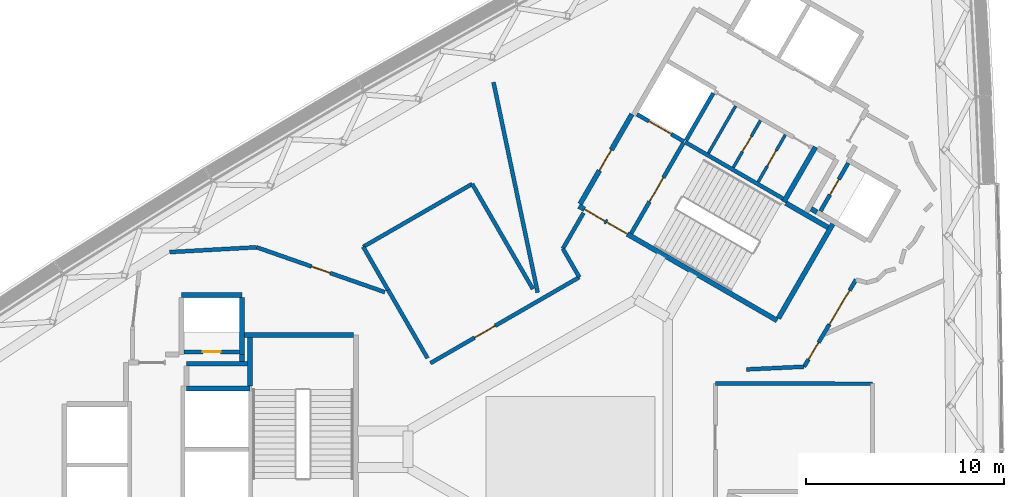
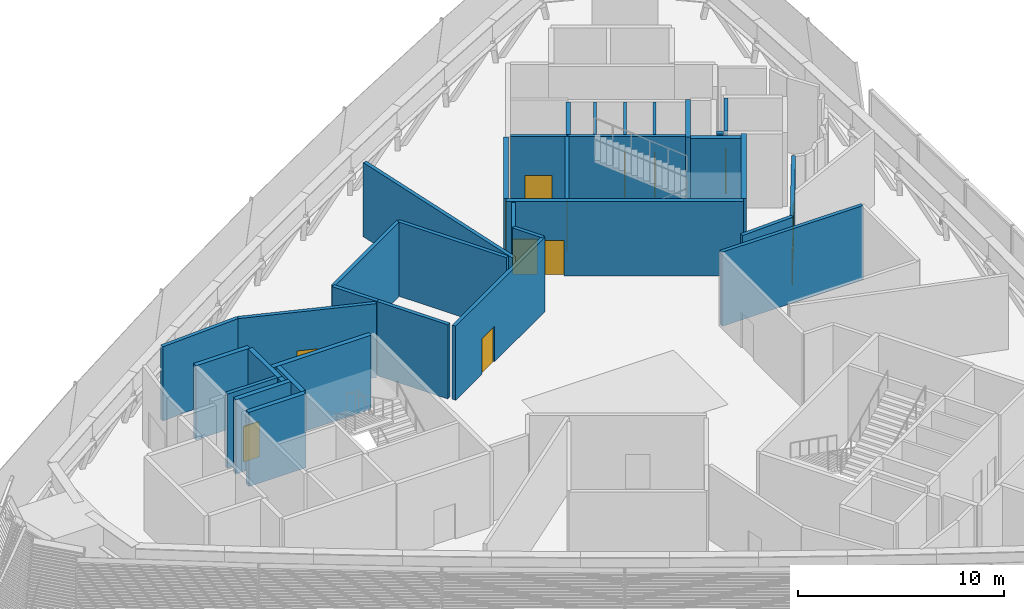
# One storey, part 12 of 17: 35 walls, 13 doors, 13 openings.
"""IFC4 building model written with IfcOpenShell, lengths in metres."""

from ifc_helpers import new_model, si_unit, direction, frame, frame_2d, origin, place, context, subcontext, project, spatial, rectangle, extrude, material, layer, layer_set, type_object, element, fill, save


model = new_model("IFC4")

# Units and contexts
model_context = context("Model", 3, precision=1e-05, world=origin(), true_north=direction((0.0, 1.0)))
body_context = subcontext(model_context, "Body", "Model", "MODEL_VIEW")
ifc_project = project(units=[si_unit("LENGTHUNIT", "METRE"), si_unit("AREAUNIT", "SQUARE_METRE"), si_unit("VOLUMEUNIT", "CUBIC_METRE"), si_unit("PLANEANGLEUNIT", "RADIAN"), si_unit("MASSUNIT", "GRAM", prefix="KILO")], contexts=[model_context])

# Site, building, storey
site_placement = place(None, origin())
site = spatial("IfcSite", under=ifc_project, at=site_placement, CompositionType="ELEMENT")
building_placement = place(site_placement, origin())
building = spatial("IfcBuilding", under=site, at=building_placement, Name="Tamra Quay Hotel Tower", CompositionType="ELEMENT")
storey_placement = place(building_placement, frame((0.0, 0.0, 119.0)))
storey = spatial("IfcBuildingStorey", under=building, at=storey_placement, Name="L29", CompositionType="ELEMENT", Elevation=119.0)

# Wall, opening, door
ifc_material_1 = material(Name="Concrete M70", Category="concrete")
ifc_layer_1 = layer(ifc_material_1, 0.199951171875)
ifc_layer_set_1 = layer_set([ifc_layer_1], Name="Concrete M70 core wall 200")
wall_type_1 = type_object("IfcWallType", Name="Concrete M70 core wall 200", PredefinedType="SHEAR", material=ifc_layer_set_1)
wall_1_placement = place(storey_placement, frame((-19.51123046875, 4.91015625, 0.0), z_axis=(0.0, 0.0, 1.0), x_axis=(1.0, 0.0, 0.0)))
wall_1 = element("IfcWall", 1, at=wall_1_placement, inside=storey, type_object=wall_type_1, Name="CW2", PredefinedType="SHEAR", context=body_context, shape_type="SweptSolid", body=[
    extrude(rectangle(XDim=2.7978515625, YDim=0.199951171875, at=frame_2d((1.39892578125, 0.0))), origin(), (0.0, 0.0, 1.0), 4.39990234375),
])
opening_1_placement = place(wall_1_placement, frame((0.948974609375, 0.0, 0.0)))
opening_1 = element("IfcOpeningElement", 2, at=opening_1_placement, cuts=wall_1, Name="Opening D1", PredefinedType="OPENING", context=body_context, shape_type="SweptSolid", body=[
    extrude(rectangle(XDim=0.89990234375, YDim=2.10009765625, at=frame_2d((0.449951171875, 1.050048828125))), frame((0.0, 0.10986328125, 0.0), z_axis=(0.0, -1.0, 0.0), x_axis=(1.0, 0.0, 0.0)), (0.0, 0.0, 1.0), 0.219970703125),
])
ifc_material_2 = material(Name="Core door D1 900x2100 LH")
door_type_1 = type_object("IfcDoorType", Name="Core door D1 900x2100 LH", OperationType="NOTDEFINED", PredefinedType="DOOR", material=ifc_material_2)
door_1_placement = place(opening_1_placement, origin())
door_1 = element("IfcDoor", 3, at=door_1_placement, inside=storey, type_object=door_type_1, Name="D1", OperationType="SINGLE_SWING_LEFT", OverallHeight=2.10009765625, OverallWidth=0.89990234375, PredefinedType="DOOR", context=body_context, shape_type="SweptSolid", body=[
    extrude(rectangle(XDim=0.89990234375, YDim=2.10009765625, at=frame_2d((0.449951171875, 1.050048828125))), frame((0.0, 0.02490234375, 0.0), z_axis=(0.0, -1.0, 0.0), x_axis=(1.0, 0.0, 0.0)), (0.0, 0.0, 1.0), 0.050048828125),
])
fill(opening_1, door_1)

# Wall
wall_2_placement = place(storey_placement, frame((5.774658203125, 15.501953125, 0.0), z_axis=(0.0, 0.0, 1.0), x_axis=(0.866020080793, -0.500009219579, 0.0)))
element("IfcWall", 4, at=wall_2_placement, inside=storey, type_object=wall_type_1, Name="CW2", PredefinedType="SHEAR", context=body_context, shape_type="SweptSolid", body=[
    extrude(rectangle(XDim=5.69921875, YDim=0.199951171875, at=frame_2d((2.849609375, 0.0))), origin(), (0.0, 0.0, 1.0), 4.39990234375),
])

# Wall, opening, door
wall_3_placement = place(storey_placement, frame((3.056640625, 10.89453125, 0.0), z_axis=(0.0, 0.0, 1.0), x_axis=(0.499989418164, 0.866031513124, 0.0)))
wall_3 = element("IfcWall", 5, at=wall_3_placement, inside=storey, type_object=wall_type_1, Name="CW2", PredefinedType="SHEAR", context=body_context, shape_type="SweptSolid", body=[
    extrude(rectangle(XDim=5.2509765625, YDim=0.199951171875, at=frame_2d((2.62548828125, 0.0))), origin(), (0.0, 0.0, 1.0), 4.39990234375),
])
opening_2_placement = place(wall_3_placement, frame((1.84912109375, 0.0, 0.0)))
opening_2 = element("IfcOpeningElement", 6, at=opening_2_placement, cuts=wall_3, Name="Opening FD2", PredefinedType="OPENING", context=body_context, shape_type="SweptSolid", body=[
    extrude(rectangle(XDim=1.39990234375, YDim=2.10009765625, at=frame_2d((0.699951171875, 1.050048828125))), frame((0.0, 0.10986328125, 0.0), z_axis=(0.0, -1.0, 0.0), x_axis=(1.0, 0.0, 0.0)), (0.0, 0.0, 1.0), 0.219970703125),
])
ifc_material_3 = material(Name="Core door FD2 1400x2100 RH")
door_type_2 = type_object("IfcDoorType", Name="Core door FD2 1400x2100 RH", OperationType="NOTDEFINED", PredefinedType="DOOR", material=ifc_material_3)
door_2_placement = place(opening_2_placement, origin())
door_2 = element("IfcDoor", 7, at=door_2_placement, inside=storey, type_object=door_type_2, Name="FD2", OperationType="SINGLE_SWING_RIGHT", OverallHeight=2.10009765625, OverallWidth=1.39990234375, PredefinedType="DOOR", context=body_context, shape_type="SweptSolid", body=[
    extrude(rectangle(XDim=1.39990234375, YDim=2.10009765625, at=frame_2d((0.699951171875, 1.050048828125))), frame((0.0, 0.02490234375, 0.0), z_axis=(0.0, -1.0, 0.0), x_axis=(1.0, 0.0, 0.0)), (0.0, 0.0, 1.0), 0.050048828125),
])
fill(opening_2, door_2)

wall_4_placement = place(storey_placement, frame((14.0078125, 14.442138671875, 0.0), z_axis=(0.0, 0.0, 1.0), x_axis=(-0.499986818241, -0.866033014143, 0.0)))
wall_4 = element("IfcWall", 8, at=wall_4_placement, inside=storey, type_object=wall_type_1, Name="CW2", PredefinedType="SHEAR", context=body_context, shape_type="SweptSolid", body=[
    extrude(rectangle(XDim=2.7978515625, YDim=0.199951171875, at=frame_2d((1.39892578125, 0.0))), origin(), (0.0, 0.0, 1.0), 4.39990234375),
])
opening_3_placement = place(wall_4_placement, frame((0.948974609375, 0.0, 0.0)))
opening_3 = element("IfcOpeningElement", 9, at=opening_3_placement, cuts=wall_4, Name="Opening D1", PredefinedType="OPENING", context=body_context, shape_type="SweptSolid", body=[
    extrude(rectangle(XDim=0.89990234375, YDim=2.10009765625, at=frame_2d((0.449951171875, 1.050048828125))), frame((0.0, 0.10986328125, 0.0), z_axis=(0.0, -1.0, 0.0), x_axis=(1.0, 0.0, 0.0)), (0.0, 0.0, 1.0), 0.219970703125),
])
door_3_placement = place(opening_3_placement, origin())
door_3 = element("IfcDoor", 10, at=door_3_placement, inside=storey, type_object=door_type_1, Name="D1", OperationType="SINGLE_SWING_LEFT", OverallHeight=2.10009765625, OverallWidth=0.89990234375, PredefinedType="DOOR", context=body_context, shape_type="SweptSolid", body=[
    extrude(rectangle(XDim=0.89990234375, YDim=2.10009765625, at=frame_2d((0.449951171875, 1.050048828125))), frame((0.0, 0.02490234375, 0.0), z_axis=(0.0, -1.0, 0.0), x_axis=(1.0, 0.0, 0.0)), (0.0, 0.0, 1.0), 0.050048828125),
])
fill(opening_3, door_3)

# Wall
wall_5_placement = place(storey_placement, frame((7.199462890625, 17.969970703125, 0.0), z_axis=(0.0, 0.0, 1.0), x_axis=(-0.499968400327, -0.866043647095, 0.0)))
element("IfcWall", 11, at=wall_5_placement, inside=storey, type_object=wall_type_1, Name="CW2", PredefinedType="SHEAR", context=body_context, shape_type="SweptSolid", body=[
    extrude(rectangle(XDim=2.749755859375, YDim=0.199951171875, at=frame_2d((1.375, 0.0))), origin(), (0.0, 0.0, 1.0), 4.39990234375),
])

# Wall, opening, door
wall_6_placement = place(storey_placement, frame((5.72509765625, 15.530517578125, 0.0), z_axis=(0.0, 0.0, 1.0), x_axis=(-0.866037306777, 0.499979382845, 0.0)))
wall_6 = element("IfcWall", 12, at=wall_6_placement, inside=storey, type_object=wall_type_1, Name="CW2", PredefinedType="SHEAR", context=body_context, shape_type="SweptSolid", body=[
    extrude(rectangle(XDim=2.74169921875, YDim=0.199951171875, at=frame_2d((1.370849609375, 0.0))), origin(), (0.0, 0.0, 1.0), 4.39990234375),
])
opening_4_placement = place(wall_6_placement, frame((0.742919921875, 0.0, 0.0)))
opening_4 = element("IfcOpeningElement", 13, at=opening_4_placement, cuts=wall_6, Name="Opening LD", PredefinedType="OPENING", context=body_context, shape_type="SweptSolid", body=[
    extrude(rectangle(XDim=1.300048828125, YDim=2.10009765625, at=frame_2d((0.64990234375, 1.050048828125))), frame((0.0, 0.10986328125, 0.0), z_axis=(0.0, -1.0, 0.0), x_axis=(1.0, 0.0, 0.0)), (0.0, 0.0, 1.0), 0.219970703125),
])
ifc_material_4 = material(Name="Landing door LD 1300 sliding to right")
door_type_3 = type_object("IfcDoorType", Name="Landing door LD 1300 sliding to right", OperationType="NOTDEFINED", PredefinedType="DOOR", material=ifc_material_4)
door_4_placement = place(opening_4_placement, origin())
door_4 = element("IfcDoor", 14, at=door_4_placement, inside=storey, type_object=door_type_3, Name="LD", OperationType="SLIDING_TO_RIGHT", OverallHeight=2.10009765625, OverallWidth=1.300048828125, PredefinedType="DOOR", context=body_context, shape_type="SweptSolid", body=[
    extrude(rectangle(XDim=1.300048828125, YDim=2.10009765625, at=frame_2d((0.64990234375, 1.050048828125))), frame((0.0, 0.02490234375, 0.0), z_axis=(0.0, -1.0, 0.0), x_axis=(1.0, 0.0, 0.0)), (0.0, 0.0, 1.0), 0.050048828125),
])
fill(opening_4, door_4)

# Walls
ifc_layer_2 = layer(ifc_material_1, 0.25)
ifc_layer_set_2 = layer_set([ifc_layer_2], Name="Concrete M70 core wall 250")
wall_type_2 = type_object("IfcWallType", Name="Concrete M70 core wall 250", PredefinedType="SHEAR", material=ifc_layer_set_2)
wall_7_placement = place(storey_placement, frame((-16.47216796875, 5.77490234375, 0.0), z_axis=(0.0, 0.0, 1.0), x_axis=(1.0, 0.0, 0.0)))
element("IfcWall", 15, at=wall_7_placement, inside=storey, type_object=wall_type_2, Name="CW1", PredefinedType="SHEAR", context=body_context, shape_type="SweptSolid", body=[
    extrude(rectangle(XDim=5.509521484375, YDim=0.25, at=frame_2d((2.7548828125, 0.0))), origin(), (0.0, 0.0, 1.0), 4.39990234375),
])
wall_8_placement = place(storey_placement, frame((-19.38720703125, 3.074951171875, 0.0), z_axis=(0.0, 0.0, 1.0), x_axis=(1.0, 0.0, 0.0)))
element("IfcWall", 16, at=wall_8_placement, inside=storey, type_object=wall_type_2, Name="CW1", PredefinedType="SHEAR", context=body_context, shape_type="SweptSolid", body=[
    extrude(rectangle(XDim=3.199951171875, YDim=0.25, at=frame_2d((1.60009765625, 0.0))), origin(), (0.0, 0.0, 1.0), 4.39990234375),
])
wall_9_placement = place(storey_placement, frame((-19.63720703125, 7.77490234375, 0.0), z_axis=(0.0, 0.0, 1.0), x_axis=(1.0, 0.0, 0.0)))
element("IfcWall", 17, at=wall_9_placement, inside=storey, type_object=wall_type_2, Name="CW1", PredefinedType="SHEAR", context=body_context, shape_type="SweptSolid", body=[
    extrude(rectangle(XDim=3.0498046875, YDim=0.25, at=frame_2d((1.52490234375, 0.0))), origin(), (0.0, 0.0, 1.0), 4.39990234375),
])
wall_10_placement = place(storey_placement, frame((-16.58740234375, 7.649658203125, 0.0), z_axis=(0.0, 0.0, 1.0), x_axis=(0.0, -1.0, 0.0)))
element("IfcWall", 18, at=wall_10_placement, inside=storey, type_object=wall_type_2, Name="CW1", PredefinedType="SHEAR", context=body_context, shape_type="SweptSolid", body=[
    extrude(rectangle(XDim=2.86474609375, YDim=0.25, at=frame_2d((1.432373046875, 0.0))), origin(), (0.0, 0.0, 1.0), 4.39990234375),
])
wall_11_placement = place(storey_placement, frame((-16.30224609375, 4.31494140625, 0.0), z_axis=(0.0, 0.0, 1.0), x_axis=(-1.0, 0.0, 0.0)))
element("IfcWall", 19, at=wall_11_placement, inside=storey, type_object=wall_type_2, Name="CW1", PredefinedType="SHEAR", context=body_context, shape_type="SweptSolid", body=[
    extrude(rectangle(XDim=3.0849609375, YDim=0.25, at=frame_2d((1.54248046875, 0.0))), origin(), (0.0, 0.0, 1.0), 4.39990234375),
])
wall_12_placement = place(storey_placement, frame((-16.187255859375, 3.200439453125, 0.0), z_axis=(0.0, 0.0, 1.0), x_axis=(0.0, 1.0, 0.0)))
element("IfcWall", 20, at=wall_12_placement, inside=storey, type_object=wall_type_2, Name="CW1", PredefinedType="SHEAR", context=body_context, shape_type="SweptSolid", body=[
    extrude(rectangle(XDim=2.44921875, YDim=0.25, at=frame_2d((1.224609375, 0.0))), origin(), (0.0, 0.0, 1.0), 4.39990234375),
])
wall_13_placement = place(storey_placement, frame((-16.577392578125, 4.784912109375, 0.0), z_axis=(0.0, 0.0, 1.0), x_axis=(0.0, -1.0, 0.0)))
element("IfcWall", 21, at=wall_13_placement, inside=storey, type_object=wall_type_2, Name="CW1", PredefinedType="SHEAR", context=body_context, shape_type="SweptSolid", body=[
    extrude(rectangle(XDim=0.344482421875, YDim=0.25, at=frame_2d((0.17236328125, 0.0))), origin(), (0.0, 0.0, 1.0), 4.39990234375),
])

# Wall, openings, doors
wall_14_placement = place(storey_placement, frame((10.419921875, 6.497802734375, 0.0), z_axis=(0.0, 0.0, 1.0), x_axis=(-0.866021906294, 0.500006057782, 0.0)))
wall_14 = element("IfcWall", 22, at=wall_14_placement, inside=storey, type_object=wall_type_2, Name="CW1", PredefinedType="SHEAR", context=body_context, shape_type="SweptSolid", body=[
    extrude(rectangle(XDim=11.550048828125, YDim=0.25, at=frame_2d((5.77490234375, 0.0))), origin(), (0.0, 0.0, 1.0), 4.39990234375),
])
opening_5_placement = place(wall_14_placement, frame((10.02490234375, 0.0, 0.0)))
opening_5 = element("IfcOpeningElement", 23, at=opening_5_placement, cuts=wall_14, Name="Opening FD1", PredefinedType="OPENING", context=body_context, shape_type="SweptSolid", body=[
    extrude(rectangle(XDim=1.199951171875, YDim=2.10009765625, at=frame_2d((0.60009765625, 1.050048828125))), frame((0.0, 0.135009765625, 0.0), z_axis=(0.0, -1.0, 0.0), x_axis=(1.0, 0.0, 0.0)), (0.0, 0.0, 1.0), 0.27001953125),
])
opening_6_placement = place(wall_14_placement, frame((8.724853515625, 0.0, 0.0)))
opening_6 = element("IfcOpeningElement", 24, at=opening_6_placement, cuts=wall_14, Name="Opening FD1", PredefinedType="OPENING", context=body_context, shape_type="SweptSolid", body=[
    extrude(rectangle(XDim=1.199951171875, YDim=2.10009765625, at=frame_2d((0.60009765625, 1.050048828125))), frame((0.0, 0.135009765625, 0.0), z_axis=(0.0, -1.0, 0.0), x_axis=(1.0, 0.0, 0.0)), (0.0, 0.0, 1.0), 0.27001953125),
])
ifc_material_5 = material(Name="Core door FD1 1200x2100 LH")
door_type_4 = type_object("IfcDoorType", Name="Core door FD1 1200x2100 LH", OperationType="NOTDEFINED", PredefinedType="DOOR", material=ifc_material_5)
door_5_placement = place(opening_5_placement, origin())
door_5 = element("IfcDoor", 25, at=door_5_placement, inside=storey, type_object=door_type_4, Name="FD1", OperationType="SINGLE_SWING_LEFT", OverallHeight=2.10009765625, OverallWidth=1.199951171875, PredefinedType="DOOR", context=body_context, shape_type="SweptSolid", body=[
    extrude(rectangle(XDim=1.199951171875, YDim=2.10009765625, at=frame_2d((0.60009765625, 1.050048828125))), frame((0.0, 0.02490234375, 0.0), z_axis=(0.0, -1.0, 0.0), x_axis=(1.0, 0.0, 0.0)), (0.0, 0.0, 1.0), 0.050048828125),
])
fill(opening_5, door_5)
ifc_material_6 = material(Name="Core door FD1 1200x2100 RH")
door_type_5 = type_object("IfcDoorType", Name="Core door FD1 1200x2100 RH", OperationType="NOTDEFINED", PredefinedType="DOOR", material=ifc_material_6)
door_6_placement = place(opening_6_placement, origin())
door_6 = element("IfcDoor", 26, at=door_6_placement, inside=storey, type_object=door_type_5, Name="FD1", OperationType="SINGLE_SWING_RIGHT", OverallHeight=2.10009765625, OverallWidth=1.199951171875, PredefinedType="DOOR", context=body_context, shape_type="SweptSolid", body=[
    extrude(rectangle(XDim=1.199951171875, YDim=2.10009765625, at=frame_2d((0.60009765625, 1.050048828125))), frame((0.0, 0.02490234375, 0.0), z_axis=(0.0, -1.0, 0.0), x_axis=(1.0, 0.0, 0.0)), (0.0, 0.0, 1.0), 0.050048828125),
])
fill(opening_6, door_6)

# Wall, opening, door
wall_15_placement = place(storey_placement, frame((0.47998046875, 12.38134765625, 0.0), z_axis=(0.0, 0.0, 1.0), x_axis=(0.49999885962, 0.866026062182, 0.0)))
wall_15 = element("IfcWall", 27, at=wall_15_placement, inside=storey, type_object=wall_type_2, Name="CW1", PredefinedType="SHEAR", context=body_context, shape_type="SweptSolid", body=[
    extrude(rectangle(XDim=5.224609375, YDim=0.25, at=frame_2d((2.6123046875, 0.0))), origin(), (0.0, 0.0, 1.0), 4.39990234375),
])
opening_7_placement = place(wall_15_placement, frame((1.94970703125, 0.0, 0.0)))
opening_7 = element("IfcOpeningElement", 28, at=opening_7_placement, cuts=wall_15, Name="Opening D2", PredefinedType="OPENING", context=body_context, shape_type="SweptSolid", body=[
    extrude(rectangle(XDim=1.199951171875, YDim=2.10009765625, at=frame_2d((0.60009765625, 1.050048828125))), frame((0.0, 0.135009765625, 0.0), z_axis=(0.0, -1.0, 0.0), x_axis=(1.0, 0.0, 0.0)), (0.0, 0.0, 1.0), 0.27001953125),
])
ifc_material_7 = material(Name="Core door D2 1200x2100 LH")
door_type_6 = type_object("IfcDoorType", Name="Core door D2 1200x2100 LH", OperationType="NOTDEFINED", PredefinedType="DOOR", material=ifc_material_7)
door_7_placement = place(opening_7_placement, origin())
door_7 = element("IfcDoor", 29, at=door_7_placement, inside=storey, type_object=door_type_6, Name="D2", OperationType="SINGLE_SWING_LEFT", OverallHeight=2.10009765625, OverallWidth=1.199951171875, PredefinedType="DOOR", context=body_context, shape_type="SweptSolid", body=[
    extrude(rectangle(XDim=1.199951171875, YDim=2.10009765625, at=frame_2d((0.60009765625, 1.050048828125))), frame((0.0, 0.02490234375, 0.0), z_axis=(0.0, -1.0, 0.0), x_axis=(1.0, 0.0, 0.0)), (0.0, 0.0, 1.0), 0.050048828125),
])
fill(opening_7, door_7)

# Walls
wall_16_placement = place(storey_placement, frame((13.237548828125, 11.3779296875, 0.0), z_axis=(0.0, 0.0, 1.0), x_axis=(-0.500008851346, -0.866020293397, 0.0)))
element("IfcWall", 30, at=wall_16_placement, inside=storey, type_object=wall_type_2, Name="CW1", PredefinedType="SHEAR", context=body_context, shape_type="SweptSolid", body=[
    extrude(rectangle(XDim=5.509765625, YDim=0.25, at=frame_2d((2.7548828125, 0.0))), origin(), (0.0, 0.0, 1.0), 4.39990234375),
])
wall_17_placement = place(storey_placement, frame((12.356689453125, 15.25244140625, 0.0), z_axis=(0.0, 0.0, 1.0), x_axis=(-0.500028443584, -0.866008981251, 0.0)))
element("IfcWall", 31, at=wall_17_placement, inside=storey, type_object=wall_type_2, Name="CW1", PredefinedType="SHEAR", context=body_context, shape_type="SweptSolid", body=[
    extrude(rectangle(XDim=3.199951171875, YDim=0.25, at=frame_2d((1.60009765625, 0.0))), origin(), (0.0, 0.0, 1.0), 4.39990234375),
])
wall_18_placement = place(storey_placement, frame((10.865234375, 12.41845703125, 0.0), z_axis=(0.0, 0.0, 1.0), x_axis=(0.866026229868, -0.499998569178, 0.0)))
element("IfcWall", 32, at=wall_18_placement, inside=storey, type_object=wall_type_2, Name="CW1", PredefinedType="SHEAR", context=body_context, shape_type="SweptSolid", body=[
    extrude(rectangle(XDim=2.44921875, YDim=0.25, at=frame_2d((1.224609375, 0.0))), origin(), (0.0, 0.0, 1.0), 4.39990234375),
])
wall_19_placement = place(storey_placement, frame((12.4326171875, 11.9638671875, 0.0), z_axis=(0.0, 0.0, 1.0), x_axis=(-0.866055875208, 0.499947218231, 0.0)))
element("IfcWall", 33, at=wall_19_placement, inside=storey, type_object=wall_type_2, Name="CW1", PredefinedType="SHEAR", context=body_context, shape_type="SweptSolid", body=[
    extrude(rectangle(XDim=0.3447265625, YDim=0.25, at=frame_2d((0.17236328125, 0.0))), origin(), (0.0, 0.0, 1.0), 4.39990234375),
])

# Wall, opening, door
ifc_material_8 = material(Name="Blockwork", Category="masonry")
ifc_layer_3 = layer(ifc_material_8, 0.14990234375)
ifc_layer_set_3 = layer_set([ifc_layer_3], Name="Core partition block 150")
wall_type_3 = type_object("IfcWallType", Name="Core partition block 150", PredefinedType="PARTITIONING", material=ifc_layer_set_3)
wall_20_placement = place(storey_placement, frame((9.462158203125, 13.4892578125, 0.0), z_axis=(0.0, 0.0, 1.0), x_axis=(0.50002746344, 0.86600954718, 0.0)))
wall_20 = element("IfcWall", 34, at=wall_20_placement, inside=storey, type_object=wall_type_3, Name="CP1", PredefinedType="PARTITIONING", context=body_context, shape_type="SweptSolid", body=[
    extrude(rectangle(XDim=2.748291015625, YDim=0.14990234375, at=frame_2d((1.3740234375, 0.0))), origin(), (0.0, 0.0, 1.0), 4.39990234375),
])
opening_8_placement = place(wall_20_placement, frame((0.92431640625, 0.0, 0.0)))
opening_8 = element("IfcOpeningElement", 35, at=opening_8_placement, cuts=wall_20, Name="Opening D2", PredefinedType="OPENING", context=body_context, shape_type="SweptSolid", body=[
    extrude(rectangle(XDim=0.89990234375, YDim=2.10009765625, at=frame_2d((0.449951171875, 1.050048828125))), frame((0.0, 0.0849609375, 0.0), z_axis=(0.0, -1.0, 0.0), x_axis=(1.0, 0.0, 0.0)), (0.0, 0.0, 1.0), 0.169921875),
])
ifc_material_9 = material(Name="Core door D2 900x2100 RH")
door_type_7 = type_object("IfcDoorType", Name="Core door D2 900x2100 RH", OperationType="NOTDEFINED", PredefinedType="DOOR", material=ifc_material_9)
door_8_placement = place(opening_8_placement, origin())
door_8 = element("IfcDoor", 36, at=door_8_placement, inside=storey, type_object=door_type_7, Name="D2", OperationType="SINGLE_SWING_RIGHT", OverallHeight=2.10009765625, OverallWidth=0.89990234375, PredefinedType="DOOR", context=body_context, shape_type="SweptSolid", body=[
    extrude(rectangle(XDim=0.89990234375, YDim=2.10009765625, at=frame_2d((0.449951171875, 1.050048828125))), frame((0.0, 0.02490234375, 0.0), z_axis=(0.0, -1.0, 0.0), x_axis=(1.0, 0.0, 0.0)), (0.0, 0.0, 1.0), 0.050048828125),
])
fill(opening_8, door_8)

wall_21_placement = place(storey_placement, frame((8.20654296875, 14.214111328125, 0.0), z_axis=(0.0, 0.0, 1.0), x_axis=(0.499922376475, 0.866070215109, 0.0)))
wall_21 = element("IfcWall", 37, at=wall_21_placement, inside=storey, type_object=wall_type_3, Name="CP1", PredefinedType="PARTITIONING", context=body_context, shape_type="SweptSolid", body=[
    extrude(rectangle(XDim=2.74853515625, YDim=0.14990234375, at=frame_2d((1.374267578125, 0.0))), origin(), (0.0, 0.0, 1.0), 4.39990234375),
])
opening_9_placement = place(wall_21_placement, frame((0.92431640625, 0.0, 0.0)))
opening_9 = element("IfcOpeningElement", 38, at=opening_9_placement, cuts=wall_21, Name="Opening D2", PredefinedType="OPENING", context=body_context, shape_type="SweptSolid", body=[
    extrude(rectangle(XDim=0.89990234375, YDim=2.10009765625, at=frame_2d((0.449951171875, 1.050048828125))), frame((0.0, 0.0849609375, 0.0), z_axis=(0.0, -1.0, 0.0), x_axis=(1.0, 0.0, 0.0)), (0.0, 0.0, 1.0), 0.169921875),
])
ifc_material_10 = material(Name="Core door D2 900x2100 LH")
door_type_8 = type_object("IfcDoorType", Name="Core door D2 900x2100 LH", OperationType="NOTDEFINED", PredefinedType="DOOR", material=ifc_material_10)
door_9_placement = place(opening_9_placement, origin())
door_9 = element("IfcDoor", 39, at=door_9_placement, inside=storey, type_object=door_type_8, Name="D2", OperationType="SINGLE_SWING_LEFT", OverallHeight=2.10009765625, OverallWidth=0.89990234375, PredefinedType="DOOR", context=body_context, shape_type="SweptSolid", body=[
    extrude(rectangle(XDim=0.89990234375, YDim=2.10009765625, at=frame_2d((0.449951171875, 1.050048828125))), frame((0.0, 0.02490234375, 0.0), z_axis=(0.0, -1.0, 0.0), x_axis=(1.0, 0.0, 0.0)), (0.0, 0.0, 1.0), 0.050048828125),
])
fill(opening_9, door_9)

# Walls
wall_22_placement = place(storey_placement, frame((6.95068359375, 14.939208984375, 0.0), z_axis=(0.0, 0.0, 1.0), x_axis=(0.50002746344, 0.86600954718, 0.0)))
element("IfcWall", 40, at=wall_22_placement, inside=storey, type_object=wall_type_3, Name="CP1", PredefinedType="PARTITIONING", context=body_context, shape_type="SweptSolid", body=[
    extrude(rectangle(XDim=2.748291015625, YDim=0.14990234375, at=frame_2d((1.3740234375, 0.0))), origin(), (0.0, 0.0, 1.0), 4.39990234375),
])
ifc_material_11 = material(Name="Partition corridor wall")
ifc_layer_4 = layer(ifc_material_11, 0.199951171875)
ifc_layer_set_4 = layer_set([ifc_layer_4], Name="Partition corridor wall")
wall_type_4 = type_object("IfcWallType", Name="Partition corridor wall", PredefinedType="PARTITIONING", material=ifc_layer_set_4)
wall_23_placement = place(storey_placement, frame((-20.22998046875, 9.948974609375, 0.0), z_axis=(0.0, 0.0, 1.0), x_axis=(0.998470424112, 0.055288445211, 0.0)))
element("IfcWall", 41, at=wall_23_placement, inside=storey, type_object=wall_type_4, Name="W-C", PredefinedType="PARTITIONING", context=body_context, shape_type="SweptSolid", body=[
    extrude(rectangle(XDim=4.393798828125, YDim=0.199951171875, at=frame_2d((2.19677734375, 0.0))), origin(), (0.0, 0.0, 1.0), 4.39990234375),
])

# Wall, opening, door
wall_24_placement = place(storey_placement, frame((-15.843017578125, 10.19189453125, 0.0), z_axis=(0.0, 0.0, 1.0), x_axis=(0.943868907532, -0.330320276995, 0.0)))
wall_24 = element("IfcWall", 42, at=wall_24_placement, inside=storey, type_object=wall_type_4, Name="W-C", PredefinedType="PARTITIONING", context=body_context, shape_type="SweptSolid", body=[
    extrude(rectangle(XDim=6.853759765625, YDim=0.199951171875, at=frame_2d((3.4267578125, 0.0))), origin(), (0.0, 0.0, 1.0), 4.39990234375),
])
opening_10_placement = place(wall_24_placement, frame((2.935302734375, 0.0, 0.0)))
opening_10 = element("IfcOpeningElement", 43, at=opening_10_placement, cuts=wall_24, Name="Opening L29-D004", PredefinedType="OPENING", context=body_context, shape_type="SweptSolid", body=[
    extrude(rectangle(XDim=1.0, YDim=2.10009765625, at=frame_2d((0.5, 1.050048828125))), frame((0.0, 0.10986328125, 0.0), z_axis=(0.0, -1.0, 0.0), x_axis=(1.0, 0.0, 0.0)), (0.0, 0.0, 1.0), 0.219970703125),
])
ifc_material_12 = material(Name="Door service room 1000x2100")
door_type_9 = type_object("IfcDoorType", Name="Door service room 1000x2100", OperationType="NOTDEFINED", PredefinedType="DOOR", material=ifc_material_12)
door_10_placement = place(opening_10_placement, origin())
door_10 = element("IfcDoor", 44, at=door_10_placement, inside=storey, type_object=door_type_9, Name="L29-D004", OperationType="SINGLE_SWING_LEFT", OverallHeight=2.10009765625, OverallWidth=1.0, PredefinedType="DOOR", context=body_context, shape_type="SweptSolid", body=[
    extrude(rectangle(XDim=1.0, YDim=2.10009765625, at=frame_2d((0.5, 1.050048828125))), frame((0.0, 0.02490234375, 0.0), z_axis=(0.0, -1.0, 0.0), x_axis=(1.0, 0.0, 0.0)), (0.0, 0.0, 1.0), 0.050048828125),
])
fill(opening_10, door_10)

# Wall
wall_25_placement = place(storey_placement, frame((-9.2109375, 8.04296875, 0.0), z_axis=(0.0, 0.0, 1.0), x_axis=(0.500021296844, -0.866013107697, 0.0)))
element("IfcWall", 45, at=wall_25_placement, inside=storey, type_object=wall_type_4, Name="W-C", PredefinedType="PARTITIONING", context=body_context, shape_type="SweptSolid", body=[
    extrude(rectangle(XDim=3.983642578125, YDim=0.199951171875, at=frame_2d((1.99169921875, 0.0))), origin(), (0.0, 0.0, 1.0), 4.39990234375),
])

# Wall, opening, door
wall_26_placement = place(storey_placement, frame((-7.075927734375, 4.34375, 0.0), z_axis=(0.0, 0.0, 1.0), x_axis=(0.865993954868, 0.500054467166, 0.0)))
wall_26 = element("IfcWall", 46, at=wall_26_placement, inside=storey, type_object=wall_type_4, Name="W-C", PredefinedType="PARTITIONING", context=body_context, shape_type="SweptSolid", body=[
    extrude(rectangle(XDim=8.677734375, YDim=0.199951171875, at=frame_2d((4.3388671875, 0.0))), origin(), (0.0, 0.0, 1.0), 4.39990234375),
])
opening_11_placement = place(wall_26_placement, frame((2.573486328125, 0.0, 0.0)))
opening_11 = element("IfcOpeningElement", 47, at=opening_11_placement, cuts=wall_26, Name="Opening L29-D007", PredefinedType="OPENING", context=body_context, shape_type="SweptSolid", body=[
    extrude(rectangle(XDim=1.199951171875, YDim=2.10009765625, at=frame_2d((0.60009765625, 1.050048828125))), frame((0.0, 0.10986328125, 0.0), z_axis=(0.0, -1.0, 0.0), x_axis=(1.0, 0.0, 0.0)), (0.0, 0.0, 1.0), 0.219970703125),
])
ifc_material_13 = material(Name="Door fire rated 1200x2100")
door_type_10 = type_object("IfcDoorType", Name="Door fire rated 1200x2100", OperationType="NOTDEFINED", PredefinedType="DOOR", material=ifc_material_13)
door_11_placement = place(opening_11_placement, origin())
door_11 = element("IfcDoor", 48, at=door_11_placement, inside=storey, type_object=door_type_10, Name="L29-D007", OperationType="SINGLE_SWING_LEFT", OverallHeight=2.10009765625, OverallWidth=1.199951171875, PredefinedType="DOOR", context=body_context, shape_type="SweptSolid", body=[
    extrude(rectangle(XDim=1.199951171875, YDim=2.10009765625, at=frame_2d((0.60009765625, 1.050048828125))), frame((0.0, 0.02490234375, 0.0), z_axis=(0.0, -1.0, 0.0), x_axis=(1.0, 0.0, 0.0)), (0.0, 0.0, 1.0), 0.050048828125),
])
fill(opening_11, door_11)

# Walls
wall_27_placement = place(storey_placement, frame((-0.39208984375, 10.12109375, 0.0), z_axis=(0.0, 0.0, 1.0), x_axis=(0.500375555954, -0.865808467852, 0.0)))
element("IfcWall", 49, at=wall_27_placement, inside=storey, type_object=wall_type_4, Name="W-C", PredefinedType="PARTITIONING", context=body_context, shape_type="SweptSolid", body=[
    extrude(rectangle(XDim=1.660888671875, YDim=0.199951171875, at=frame_2d((0.83056640625, 0.0))), origin(), (0.0, 0.0, 1.0), 4.39990234375),
])
wall_28_placement = place(storey_placement, frame((-0.39208984375, 10.12109375, 0.0), z_axis=(0.0, 0.0, 1.0), x_axis=(0.50017216111, 0.865925983702, 0.0)))
element("IfcWall", 50, at=wall_28_placement, inside=storey, type_object=wall_type_4, Name="W-C", PredefinedType="PARTITIONING", context=body_context, shape_type="SweptSolid", body=[
    extrude(rectangle(XDim=2.083251953125, YDim=0.199951171875, at=frame_2d((1.04150390625, 0.0))), origin(), (0.0, 0.0, 1.0), 4.39990234375),
])
wall_29_placement = place(storey_placement, frame((8.8701171875, 4.029052734375, 0.0), z_axis=(0.0, 0.0, 1.0), x_axis=(0.998912756493, 0.046618718506, 0.0)))
element("IfcWall", 51, at=wall_29_placement, inside=storey, type_object=wall_type_4, Name="W-C", PredefinedType="PARTITIONING", context=body_context, shape_type="SweptSolid", body=[
    extrude(rectangle(XDim=2.9169921875, YDim=0.199951171875, at=frame_2d((1.45849609375, 0.0))), origin(), (0.0, 0.0, 1.0), 4.39990234375),
])

# Wall, openings, doors
wall_30_placement = place(storey_placement, frame((11.7841796875, 4.1650390625, 0.0), z_axis=(0.0, 0.0, 1.0), x_axis=(0.511647626095, 0.859195383316, 0.0)))
wall_30 = element("IfcWall", 52, at=wall_30_placement, inside=storey, type_object=wall_type_4, Name="W-C", PredefinedType="PARTITIONING", context=body_context, shape_type="SweptSolid", body=[
    extrude(rectangle(XDim=5.1103515625, YDim=0.199951171875, at=frame_2d((2.55517578125, 0.0))), origin(), (0.0, 0.0, 1.0), 4.39990234375),
])
opening_12_placement = place(wall_30_placement, frame((2.48779296875, 0.0, 0.0)))
opening_12 = element("IfcOpeningElement", 53, at=opening_12_placement, cuts=wall_30, Name="Opening L29-D002", PredefinedType="OPENING", context=body_context, shape_type="SweptSolid", body=[
    extrude(rectangle(XDim=2.0, YDim=2.10009765625, at=frame_2d((1.0, 1.050048828125))), frame((0.0, 0.10986328125, 0.0), z_axis=(0.0, -1.0, 0.0), x_axis=(1.0, 0.0, 0.0)), (0.0, 0.0, 1.0), 0.219970703125),
])
opening_13_placement = place(wall_30_placement, frame((0.432861328125, 0.0, 0.0)))
opening_13 = element("IfcOpeningElement", 54, at=opening_13_placement, cuts=wall_30, Name="Opening L29-D005", PredefinedType="OPENING", context=body_context, shape_type="SweptSolid", body=[
    extrude(rectangle(XDim=1.0, YDim=2.10009765625, at=frame_2d((0.5, 1.050048828125))), frame((0.0, 0.10986328125, 0.0), z_axis=(0.0, -1.0, 0.0), x_axis=(1.0, 0.0, 0.0)), (0.0, 0.0, 1.0), 0.219970703125),
])
ifc_material_14 = material(Name="Door double leaf 2000x2100")
door_type_11 = type_object("IfcDoorType", Name="Door double leaf 2000x2100", OperationType="DOUBLE_DOOR_SINGLE_SWING", PredefinedType="DOOR", material=ifc_material_14)
door_12_placement = place(opening_12_placement, origin())
door_12 = element("IfcDoor", 55, at=door_12_placement, inside=storey, type_object=door_type_11, Name="L29-D002", OperationType="DOUBLE_DOOR_SINGLE_SWING", OverallHeight=2.10009765625, OverallWidth=2.0, PredefinedType="DOOR", context=body_context, shape_type="SweptSolid", body=[
    extrude(rectangle(XDim=2.0, YDim=2.10009765625, at=frame_2d((1.0, 1.050048828125))), frame((0.0, 0.02490234375, 0.0), z_axis=(0.0, -1.0, 0.0), x_axis=(1.0, 0.0, 0.0)), (0.0, 0.0, 1.0), 0.050048828125),
])
fill(opening_12, door_12)
door_13_placement = place(opening_13_placement, frame((1.0, 0.0, 0.0), z_axis=(0.0, 0.0, 1.0), x_axis=(-1.0, 0.0, 0.0)))
door_13 = element("IfcDoor", 56, at=door_13_placement, inside=storey, type_object=door_type_9, Name="L29-D005", OperationType="SINGLE_SWING_LEFT", OverallHeight=2.10009765625, OverallWidth=1.0, PredefinedType="DOOR", context=body_context, shape_type="SweptSolid", body=[
    extrude(rectangle(XDim=1.0, YDim=2.10009765625, at=frame_2d((0.5, 1.050048828125))), frame((0.0, 0.02490234375, 0.0), z_axis=(0.0, -1.0, 0.0), x_axis=(1.0, 0.0, 0.0)), (0.0, 0.0, 1.0), 0.050048828125),
])
fill(opening_13, door_13)

# Walls
ifc_material_15 = material(Name="Partition party wall")
ifc_layer_5 = layer(ifc_material_15, 0.199951171875)
ifc_layer_set_5 = layer_set([ifc_layer_5], Name="Partition party wall")
wall_type_5 = type_object("IfcWallType", Name="Partition party wall", PredefinedType="PARTITIONING", material=ifc_layer_set_5)
wall_31_placement = place(storey_placement, frame((-10.466064453125, 10.215087890625, 0.0), z_axis=(0.0, 0.0, 1.0), x_axis=(0.499185929509, -0.866494897723, 0.0)))
element("IfcWall", 57, at=wall_31_placement, inside=storey, type_object=wall_type_5, Name="W-P", PredefinedType="PARTITIONING", context=body_context, shape_type="SweptSolid", body=[
    extrude(rectangle(XDim=2.508544921875, YDim=0.199951171875, at=frame_2d((1.25439453125, 0.0))), origin(), (0.0, 0.0, 1.0), 4.39990234375),
])
wall_32_placement = place(storey_placement, frame((-10.466064453125, 10.215087890625, 0.0), z_axis=(0.0, 0.0, 1.0), x_axis=(0.866095950044, 0.499877790382, 0.0)))
element("IfcWall", 58, at=wall_32_placement, inside=storey, type_object=wall_type_5, Name="W-P", PredefinedType="PARTITIONING", context=body_context, shape_type="SweptSolid", body=[
    extrude(rectangle(XDim=6.34912109375, YDim=0.199951171875, at=frame_2d((3.174560546875, 0.0))), origin(), (0.0, 0.0, 1.0), 4.39990234375),
])
wall_33_placement = place(storey_placement, frame((-4.967041015625, 13.388916015625, 0.0), z_axis=(0.0, 0.0, 1.0), x_axis=(0.500142145242, -0.865943320635, 0.0)))
element("IfcWall", 59, at=wall_33_placement, inside=storey, type_object=wall_type_5, Name="W-P", PredefinedType="PARTITIONING", context=body_context, shape_type="SweptSolid", body=[
    extrude(rectangle(XDim=6.126220703125, YDim=0.199951171875, at=frame_2d((3.06298828125, 0.0))), origin(), (0.0, 0.0, 1.0), 4.39990234375),
])
wall_34_placement = place(storey_placement, frame((-3.89208984375, 18.522705078125, 0.0), z_axis=(0.0, 0.0, 1.0), x_axis=(0.205613390792, -0.978633298804, 0.0)))
element("IfcWall", 60, at=wall_34_placement, inside=storey, type_object=wall_type_5, Name="W-P", PredefinedType="PARTITIONING", context=body_context, shape_type="SweptSolid", body=[
    extrude(rectangle(XDim=10.845458984375, YDim=0.199951171875, at=frame_2d((5.4228515625, 0.0))), origin(), (0.0, 0.0, 1.0), 4.39990234375),
])
wall_35_placement = place(storey_placement, frame((7.30810546875, 3.30810546875, 0.0), z_axis=(0.0, 0.0, 1.0), x_axis=(0.999999988134, -0.000154054718, 0.0)))
element("IfcWall", 61, at=wall_35_placement, inside=storey, type_object=wall_type_5, Name="W-P", PredefinedType="PARTITIONING", context=body_context, shape_type="SweptSolid", body=[
    extrude(rectangle(XDim=7.923828125, YDim=0.199951171875, at=frame_2d((3.9619140625, 0.0))), origin(), (0.0, 0.0, 1.0), 4.39990234375),
])

save(model, "model.ifc")
